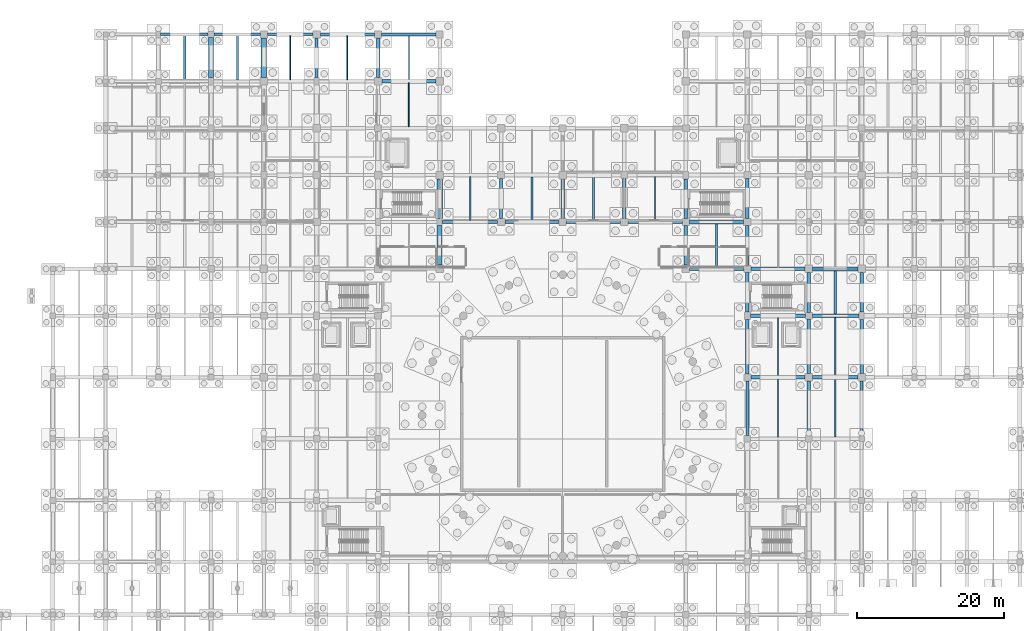
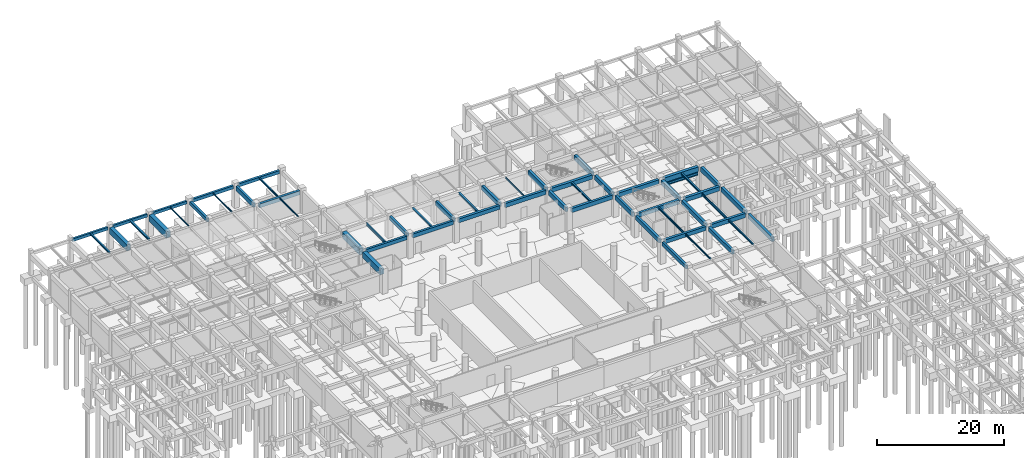
# One storey, part 24 of 44: 57 beams.
"""IFC4 building model written with IfcOpenShell, lengths in metres."""

from ifc_helpers import new_model, si_unit, direction, frame, origin, origin_2d, place, context, subcontext, project, spatial, rectangle, i_section, extrude, material, material_profile, profile_set, type_object, element, save


model = new_model("IFC4")

# Units and contexts
model_context = context("Model", 3, precision=1e-05, world=origin(), true_north=direction((0.0, 1.0)))
body_context = subcontext(model_context, "Body", "Model", "MODEL_VIEW")
ifc_project = project(units=[si_unit("LENGTHUNIT", "METRE"), si_unit("AREAUNIT", "SQUARE_METRE"), si_unit("VOLUMEUNIT", "CUBIC_METRE"), si_unit("PLANEANGLEUNIT", "RADIAN"), si_unit("MASSUNIT", "GRAM", prefix="KILO")], contexts=[model_context])

# Site, building, storey
site_placement = place(None, origin())
site = spatial("IfcSite", under=ifc_project, at=site_placement, CompositionType="ELEMENT")
building_placement = place(site_placement, origin())
building = spatial("IfcBuilding", under=site, at=building_placement, Name="Korsvaeld Concert Hall", CompositionType="ELEMENT")
storey_placement = place(building_placement, frame((0.0, 0.0, -4.800048828125)))
storey = spatial("IfcBuildingStorey", under=building, at=storey_placement, Name="B1", CompositionType="ELEMENT", Elevation=-4.800048828125)

# Beams
ifc_material_1 = material(Name="Concrete C35/45", Category="concrete")
ifc_material_profile_1 = material_profile(ifc_material_1, rectangle(XDim=0.39990234375, YDim=0.699951171875, at=origin_2d()), Name="RC 400x700")
ifc_profile_set_1 = profile_set([ifc_material_profile_1], Name="Concrete C35/45")
beam_type_1 = type_object("IfcBeamType", Name="BM-RC-400x700", PredefinedType="T_BEAM", material=ifc_profile_set_1)
beam_1_placement = place(storey_placement, frame((67.550048828125, 89.60009765625, 3.900146484375), z_axis=(1.0, 0.0, 0.0), x_axis=(0.0, 1.0, 0.0)))
element("IfcBeam", 1, at=beam_1_placement, inside=storey, type_object=beam_type_1, Name="Primary girder 10-11/N B1", PredefinedType="T_BEAM", context=body_context, shape_type="SweptSolid", body=[
    extrude(rectangle(XDim=0.39990234375, YDim=0.699951171875, at=origin_2d()), origin(), (0.0, 0.0, 1.0), 7.550048828125),
])
beam_2_placement = place(storey_placement, frame((50.39990234375, 109.300048828125, 3.900146484375), z_axis=(0.0, 1.0, 0.0), x_axis=(-1.0, 0.0, 0.0)))
element("IfcBeam", 2, at=beam_2_placement, inside=storey, type_object=beam_type_1, Name="Primary girder 8/R-S B1", PredefinedType="T_BEAM", context=body_context, shape_type="SweptSolid", body=[
    extrude(rectangle(XDim=0.39990234375, YDim=0.699951171875, at=origin_2d()), origin(), (0.0, 0.0, 1.0), 5.39990234375),
])
beam_3_placement = place(storey_placement, frame((75.60009765625, 90.10009765625, 3.900146484375), z_axis=(0.0, 1.0, 0.0), x_axis=(-1.0, 0.0, 0.0)))
element("IfcBeam", 3, at=beam_3_placement, inside=storey, type_object=beam_type_1, Name="Primary girder 11/N-P B1", PredefinedType="T_BEAM", context=body_context, shape_type="SweptSolid", body=[
    extrude(rectangle(XDim=0.39990234375, YDim=0.699951171875, at=origin_2d()), origin(), (0.0, 0.0, 1.0), 5.4248046875),
])
beam_4_placement = place(storey_placement, frame((109.199951171875, 60.449951171875, 3.900146484375), z_axis=(0.0, 1.0, 0.0), x_axis=(-1.0, 0.0, 0.0)))
element("IfcBeam", 4, at=beam_4_placement, inside=storey, type_object=beam_type_1, Name="Primary girder 15/J-K B1", PredefinedType="T_BEAM", context=body_context, shape_type="SweptSolid", body=[
    extrude(rectangle(XDim=0.39990234375, YDim=0.699951171875, at=origin_2d()), origin(), (0.0, 0.0, 1.0), 7.47509765625),
])
ifc_material_profile_2 = material_profile(ifc_material_1, rectangle(XDim=0.39990234375, YDim=0.75, at=origin_2d()), Name="RC 400x750")
ifc_profile_set_2 = profile_set([ifc_material_profile_2], Name="Concrete C35/45")
beam_type_2 = type_object("IfcBeamType", Name="BM-RC-400x750", PredefinedType="T_BEAM", material=ifc_profile_set_2)
beam_5_placement = place(storey_placement, frame((76.10009765625, 89.60009765625, 3.875), z_axis=(1.0, 0.0, 0.0), x_axis=(0.0, 1.0, 0.0)))
element("IfcBeam", 5, at=beam_5_placement, inside=storey, type_object=beam_type_2, Name="Primary girder 11-12/N B1", PredefinedType="T_BEAM", context=body_context, shape_type="SweptSolid", body=[
    extrude(rectangle(XDim=0.39990234375, YDim=0.75, at=origin_2d()), origin(), (0.0, 0.0, 1.0), 7.4248046875),
])
ifc_material_profile_3 = material_profile(ifc_material_1, rectangle(XDim=0.449951171875, YDim=0.75, at=origin_2d()), Name="RC 450x750")
ifc_profile_set_3 = profile_set([ifc_material_profile_3], Name="Concrete C35/45")
beam_type_3 = type_object("IfcBeamType", Name="BM-RC-450x750", PredefinedType="T_BEAM", material=ifc_profile_set_3)
beam_6_placement = place(storey_placement, frame((109.675048828125, 68.39990234375, 3.875), z_axis=(1.0, 0.0, 0.0), x_axis=(0.0, 1.0, 0.0)))
element("IfcBeam", 6, at=beam_6_placement, inside=storey, type_object=beam_type_3, Name="Primary girder 15-16/K B1", PredefinedType="T_BEAM", context=body_context, shape_type="SweptSolid", body=[
    extrude(rectangle(XDim=0.449951171875, YDim=0.75, at=origin_2d()), origin(), (0.0, 0.0, 1.0), 7.425048828125),
])
beam_7_placement = place(storey_placement, frame((84.47509765625, 89.60009765625, 3.875), z_axis=(1.0, 0.0, 0.0), x_axis=(0.0, 1.0, 0.0)))
element("IfcBeam", 7, at=beam_7_placement, inside=storey, type_object=beam_type_3, Name="Primary girder 12-13/N B1", PredefinedType="T_BEAM", context=body_context, shape_type="SweptSolid", body=[
    extrude(rectangle(XDim=0.449951171875, YDim=0.75, at=origin_2d()), origin(), (0.0, 0.0, 1.0), 7.4248046875),
])
beam_8_placement = place(storey_placement, frame((59.300048828125, 108.800048828125, 3.875), z_axis=(1.0, 0.0, 0.0), x_axis=(0.0, 1.0, 0.0)))
element("IfcBeam", 8, at=beam_8_placement, inside=storey, type_object=beam_type_3, Name="Primary girder 9-10/R B1", PredefinedType="T_BEAM", context=body_context, shape_type="SweptSolid", body=[
    extrude(rectangle(XDim=0.449951171875, YDim=0.75, at=origin_2d()), origin(), (0.0, 0.0, 1.0), 7.39990234375),
])
ifc_material_profile_4 = material_profile(ifc_material_1, rectangle(XDim=0.449951171875, YDim=0.800048828125, at=origin_2d()), Name="RC 450x800")
ifc_profile_set_4 = profile_set([ifc_material_profile_4], Name="Concrete C35/45")
beam_type_4 = type_object("IfcBeamType", Name="BM-RC-450x800", PredefinedType="T_BEAM", material=ifc_profile_set_4)
beam_9_placement = place(storey_placement, frame((118.10009765625, 68.39990234375, 3.85009765625), z_axis=(1.0, 0.0, 0.0), x_axis=(0.0, 1.0, 0.0)))
element("IfcBeam", 9, at=beam_9_placement, inside=storey, type_object=beam_type_4, Name="Primary girder 16-17/K B1", PredefinedType="T_BEAM", context=body_context, shape_type="SweptSolid", body=[
    extrude(rectangle(XDim=0.449951171875, YDim=0.800048828125, at=origin_2d()), origin(), (0.0, 0.0, 1.0), 6.199951171875),
])
beam_10_placement = place(storey_placement, frame((109.60009765625, 76.800048828125, 3.85009765625), z_axis=(1.0, 0.0, 0.0), x_axis=(0.0, 1.0, 0.0)))
element("IfcBeam", 10, at=beam_10_placement, inside=storey, type_object=beam_type_4, Name="Primary girder 15-16/L B1", PredefinedType="T_BEAM", context=body_context, shape_type="SweptSolid", body=[
    extrude(rectangle(XDim=0.449951171875, YDim=0.800048828125, at=origin_2d()), origin(), (0.0, 0.0, 1.0), 7.52490234375),
])
for number, where, z_axis, x_axis, name in (
    (11, (101.300048828125, 83.199951171875, 3.85009765625), (1.0, 0.0, 0.0), (0.0, 1.0, 0.0), "Primary girder 14-15/M B1"),
    (12, (92.89990234375, 89.60009765625, 3.85009765625), (1.0, 0.0, 0.0), (0.0, 1.0, 0.0), "Primary girder 13-14/N B1"),
):
    element("IfcBeam", number, at=place(storey_placement, frame(where, z_axis=z_axis, x_axis=x_axis)), inside=storey, type_object=beam_type_4, Name=name, PredefinedType="T_BEAM", context=body_context, shape_type="SweptSolid", body=[
        extrude(rectangle(XDim=0.449951171875, YDim=0.800048828125, at=origin_2d()), origin(), (0.0, 0.0, 1.0), 7.425048828125),
    ])
for number, where, z_axis, x_axis, name in (
    (13, (58.800048828125, 109.300048828125, 3.85009765625), (0.0, 1.0, 0.0), (-1.0, 0.0, 0.0), "Primary girder 9/R-S B1"),
    (14, (84.0, 90.074951171875, 3.85009765625), (0.0, 1.0, 0.0), (-1.0, 0.0, 0.0), "Primary girder 12/N-P B1"),
):
    element("IfcBeam", number, at=place(storey_placement, frame(where, z_axis=z_axis, x_axis=x_axis)), inside=storey, type_object=beam_type_4, Name=name, PredefinedType="T_BEAM", context=body_context, shape_type="SweptSolid", body=[
        extrude(rectangle(XDim=0.449951171875, YDim=0.800048828125, at=origin_2d()), origin(), (0.0, 0.0, 1.0), 5.425048828125),
    ])
beam_11_placement = place(storey_placement, frame((109.199951171875, 68.875, 3.85009765625), z_axis=(0.0, 1.0, 0.0), x_axis=(-1.0, 0.0, 0.0)))
element("IfcBeam", 15, at=beam_11_placement, inside=storey, type_object=beam_type_4, Name="Primary girder 15/K-L B1", PredefinedType="T_BEAM", context=body_context, shape_type="SweptSolid", body=[
    extrude(rectangle(XDim=0.449951171875, YDim=0.800048828125, at=origin_2d()), origin(), (0.0, 0.0, 1.0), 7.425048828125),
])
beam_12_placement = place(storey_placement, frame((117.60009765625, 60.425048828125, 3.85009765625), z_axis=(0.0, 1.0, 0.0), x_axis=(-1.0, 0.0, 0.0)))
element("IfcBeam", 16, at=beam_12_placement, inside=storey, type_object=beam_type_4, Name="Primary girder 16/J-K B1", PredefinedType="T_BEAM", context=body_context, shape_type="SweptSolid", body=[
    extrude(rectangle(XDim=0.449951171875, YDim=0.800048828125, at=origin_2d()), origin(), (0.0, 0.0, 1.0), 7.474853515625),
])
ifc_material_2 = material(Name="Concrete C40/50", Category="concrete")
ifc_material_profile_5 = material_profile(ifc_material_2, rectangle(XDim=0.449951171875, YDim=0.85009765625, at=origin_2d()), Name="RC 450x850")
ifc_profile_set_5 = profile_set([ifc_material_profile_5], Name="Concrete C40/50")
beam_type_5 = type_object("IfcBeamType", Name="BM-RC-450x850", PredefinedType="T_BEAM", material=ifc_profile_set_5)
beam_13_placement = place(storey_placement, frame((92.39990234375, 90.10009765625, 3.824951171875), z_axis=(0.0, 1.0, 0.0), x_axis=(-1.0, 0.0, 0.0)))
element("IfcBeam", 17, at=beam_13_placement, inside=storey, type_object=beam_type_5, Name="Primary girder 13/N-P B1", PredefinedType="T_BEAM", context=body_context, shape_type="SweptSolid", body=[
    extrude(rectangle(XDim=0.449951171875, YDim=0.85009765625, at=origin_2d()), origin(), (0.0, 0.0, 1.0), 5.4248046875),
])
for number, where, z_axis, x_axis, name in (
    (18, (100.800048828125, 83.699951171875, 3.824951171875), (0.0, 1.0, 0.0), (-1.0, 0.0, 0.0), "Primary girder 14/M-N B1"),
    (19, (109.199951171875, 77.300048828125, 3.824951171875), (0.0, 1.0, 0.0), (-1.0, 0.0, 0.0), "Primary girder 15/L-M B1"),
):
    element("IfcBeam", number, at=place(storey_placement, frame(where, z_axis=z_axis, x_axis=x_axis)), inside=storey, type_object=beam_type_5, Name=name, PredefinedType="T_BEAM", context=body_context, shape_type="SweptSolid", body=[
        extrude(rectangle(XDim=0.449951171875, YDim=0.85009765625, at=origin_2d()), origin(), (0.0, 0.0, 1.0), 5.425048828125),
    ])
beam_14_placement = place(storey_placement, frame((117.60009765625, 68.89990234375, 3.824951171875), z_axis=(0.0, 1.0, 0.0), x_axis=(-1.0, 0.0, 0.0)))
element("IfcBeam", 20, at=beam_14_placement, inside=storey, type_object=beam_type_5, Name="Primary girder 16/K-L B1", PredefinedType="T_BEAM", context=body_context, shape_type="SweptSolid", body=[
    extrude(rectangle(XDim=0.449951171875, YDim=0.85009765625, at=origin_2d()), origin(), (0.0, 0.0, 1.0), 7.425048828125),
])
beam_15_placement = place(storey_placement, frame((124.800048828125, 60.375, 3.824951171875), z_axis=(0.0, 1.0, 0.0), x_axis=(-1.0, 0.0, 0.0)))
element("IfcBeam", 21, at=beam_15_placement, inside=storey, type_object=beam_type_5, Name="Primary girder 17/J-K B1", PredefinedType="T_BEAM", context=body_context, shape_type="SweptSolid", body=[
    extrude(rectangle(XDim=0.449951171875, YDim=0.85009765625, at=origin_2d()), origin(), (0.0, 0.0, 1.0), 7.52490234375),
])
ifc_material_profile_6 = material_profile(ifc_material_2, rectangle(XDim=0.5, YDim=0.800048828125, at=origin_2d()), Name="RC 500x800")
ifc_profile_set_6 = profile_set([ifc_material_profile_6], Name="Concrete C40/50")
beam_type_6 = type_object("IfcBeamType", Name="BM-RC-500x800", PredefinedType="T_BEAM", material=ifc_profile_set_6)
beam_16_placement = place(storey_placement, frame((118.074951171875, 76.800048828125, 3.85009765625), z_axis=(1.0, 0.0, 0.0), x_axis=(0.0, 1.0, 0.0)))
element("IfcBeam", 22, at=beam_16_placement, inside=storey, type_object=beam_type_6, Name="Primary girder 16-17/L B1", PredefinedType="T_BEAM", context=body_context, shape_type="SweptSolid", body=[
    extrude(rectangle(XDim=0.5, YDim=0.800048828125, at=origin_2d()), origin(), (0.0, 0.0, 1.0), 6.375),
])
for number, where, z_axis, x_axis, name in (
    (23, (109.675048828125, 83.199951171875, 3.85009765625), (1.0, 0.0, 0.0), (0.0, 1.0, 0.0), "Primary girder 15-16/M B1"),
    (24, (101.27490234375, 89.60009765625, 3.85009765625), (1.0, 0.0, 0.0), (0.0, 1.0, 0.0), "Primary girder 14-15/N B1"),
):
    element("IfcBeam", number, at=place(storey_placement, frame(where, z_axis=z_axis, x_axis=x_axis)), inside=storey, type_object=beam_type_6, Name=name, PredefinedType="T_BEAM", context=body_context, shape_type="SweptSolid", body=[
        extrude(rectangle(XDim=0.5, YDim=0.800048828125, at=origin_2d()), origin(), (0.0, 0.0, 1.0), 7.425048828125),
    ])
ifc_material_profile_7 = material_profile(ifc_material_2, rectangle(XDim=0.5, YDim=0.85009765625, at=origin_2d()), Name="RC 500x850")
ifc_profile_set_7 = profile_set([ifc_material_profile_7], Name="Concrete C40/50")
beam_type_7 = type_object("IfcBeamType", Name="BM-RC-500x850", PredefinedType="T_BEAM", material=ifc_profile_set_7)
for number, where, z_axis, x_axis, name in (
    (25, (100.800048828125, 90.074951171875, 3.824951171875), (0.0, 1.0, 0.0), (-1.0, 0.0, 0.0), "Primary girder 14/N-P B1"),
    (26, (109.199951171875, 83.675048828125, 3.824951171875), (0.0, 1.0, 0.0), (-1.0, 0.0, 0.0), "Primary girder 15/M-N B1"),
    (27, (117.60009765625, 77.27490234375, 3.824951171875), (0.0, 1.0, 0.0), (-1.0, 0.0, 0.0), "Primary girder 16/L-M B1"),
):
    element("IfcBeam", number, at=place(storey_placement, frame(where, z_axis=z_axis, x_axis=x_axis)), inside=storey, type_object=beam_type_7, Name=name, PredefinedType="T_BEAM", context=body_context, shape_type="SweptSolid", body=[
        extrude(rectangle(XDim=0.5, YDim=0.85009765625, at=origin_2d()), origin(), (0.0, 0.0, 1.0), 5.425048828125),
    ])
beam_17_placement = place(storey_placement, frame((124.800048828125, 68.89990234375, 3.824951171875), z_axis=(0.0, 1.0, 0.0), x_axis=(-1.0, 0.0, 0.0)))
element("IfcBeam", 28, at=beam_17_placement, inside=storey, type_object=beam_type_7, Name="Primary girder 17/K-L B1", PredefinedType="T_BEAM", context=body_context, shape_type="SweptSolid", body=[
    extrude(rectangle(XDim=0.5, YDim=0.85009765625, at=origin_2d()), origin(), (0.0, 0.0, 1.0), 7.400146484375),
])
ifc_material_profile_8 = material_profile(ifc_material_2, rectangle(XDim=0.5, YDim=0.89990234375, at=origin_2d()), Name="RC 500x900")
ifc_profile_set_8 = profile_set([ifc_material_profile_8], Name="Concrete C40/50")
beam_type_8 = type_object("IfcBeamType", Name="BM-RC-500x900", PredefinedType="T_BEAM", material=ifc_profile_set_8)
beam_18_placement = place(storey_placement, frame((109.199951171875, 90.10009765625, 3.800048828125), z_axis=(0.0, 1.0, 0.0), x_axis=(-1.0, 0.0, 0.0)))
element("IfcBeam", 29, at=beam_18_placement, inside=storey, type_object=beam_type_8, Name="Primary girder 15/N-P B1", PredefinedType="T_BEAM", context=body_context, shape_type="SweptSolid", body=[
    extrude(rectangle(XDim=0.5, YDim=0.89990234375, at=origin_2d()), origin(), (0.0, 0.0, 1.0), 5.4248046875),
])
beam_19_placement = place(storey_placement, frame((124.800048828125, 77.300048828125, 3.800048828125), z_axis=(0.0, 1.0, 0.0), x_axis=(-1.0, 0.0, 0.0)))
element("IfcBeam", 30, at=beam_19_placement, inside=storey, type_object=beam_type_8, Name="Primary girder 17/L-M B1", PredefinedType="T_BEAM", context=body_context, shape_type="SweptSolid", body=[
    extrude(rectangle(XDim=0.5, YDim=0.89990234375, at=origin_2d()), origin(), (0.0, 0.0, 1.0), 5.39990234375),
])
ifc_material_profile_9 = material_profile(ifc_material_2, rectangle(XDim=0.550048828125, YDim=0.89990234375, at=origin_2d()), Name="RC 550x900")
ifc_profile_set_9 = profile_set([ifc_material_profile_9], Name="Concrete C40/50")
beam_type_9 = type_object("IfcBeamType", Name="BM-RC-550x900", PredefinedType="T_BEAM", material=ifc_profile_set_9)
beam_20_placement = place(storey_placement, frame((118.10009765625, 83.199951171875, 3.800048828125), z_axis=(1.0, 0.0, 0.0), x_axis=(0.0, 1.0, 0.0)))
element("IfcBeam", 31, at=beam_20_placement, inside=storey, type_object=beam_type_9, Name="Primary girder 16-17/M B1", PredefinedType="T_BEAM", context=body_context, shape_type="SweptSolid", body=[
    extrude(rectangle(XDim=0.550048828125, YDim=0.89990234375, at=origin_2d()), origin(), (0.0, 0.0, 1.0), 6.199951171875),
])
ifc_material_profile_10 = material_profile(ifc_material_2, rectangle(XDim=0.699951171875, YDim=1.14990234375, at=origin_2d()), Name="RC 700x1150")
ifc_profile_set_10 = profile_set([ifc_material_profile_10], Name="Concrete C40/50")
beam_type_10 = type_object("IfcBeamType", Name="BM-RC-700x1150", PredefinedType="T_BEAM", material=ifc_profile_set_10)
beam_21_placement = place(storey_placement, frame((36.0, 109.300048828125, 3.675048828125), z_axis=(0.0, 1.0, 0.0), x_axis=(-1.0, 0.0, 0.0)))
element("IfcBeam", 32, at=beam_21_placement, inside=storey, type_object=beam_type_10, Name="Primary girder 6/R-S B1", PredefinedType="T_BEAM", context=body_context, shape_type="SweptSolid", body=[
    extrude(rectangle(XDim=0.699951171875, YDim=1.14990234375, at=origin_2d()), origin(), (0.0, 0.0, 1.0), 5.474853515625),
])
beam_22_placement = place(storey_placement, frame((67.199951171875, 83.699951171875, 3.675048828125), z_axis=(0.0, 1.0, 0.0), x_axis=(-1.0, 0.0, 0.0)))
element("IfcBeam", 33, at=beam_22_placement, inside=storey, type_object=beam_type_10, Name="Primary girder 10/M-N B1", PredefinedType="T_BEAM", context=body_context, shape_type="SweptSolid", body=[
    extrude(rectangle(XDim=0.699951171875, YDim=1.14990234375, at=origin_2d()), origin(), (0.0, 0.0, 1.0), 5.400146484375),
])
ifc_material_profile_11 = material_profile(ifc_material_2, rectangle(XDim=0.75, YDim=1.199951171875, at=origin_2d()), Name="RC 750x1200")
ifc_profile_set_11 = profile_set([ifc_material_profile_11], Name="Concrete C40/50")
beam_type_11 = type_object("IfcBeamType", Name="BM-RC-750x1200", PredefinedType="T_BEAM", material=ifc_profile_set_11)
beam_23_placement = place(storey_placement, frame((43.199951171875, 109.300048828125, 3.650146484375), z_axis=(0.0, 1.0, 0.0), x_axis=(-1.0, 0.0, 0.0)))
element("IfcBeam", 34, at=beam_23_placement, inside=storey, type_object=beam_type_11, Name="Primary girder 7/R-S B1", PredefinedType="T_BEAM", context=body_context, shape_type="SweptSolid", body=[
    extrude(rectangle(XDim=0.75, YDim=1.199951171875, at=origin_2d()), origin(), (0.0, 0.0, 1.0), 5.425048828125),
])
beam_24_placement = place(storey_placement, frame((67.199951171875, 90.10009765625, 3.650146484375), z_axis=(0.0, 1.0, 0.0), x_axis=(-1.0, 0.0, 0.0)))
element("IfcBeam", 35, at=beam_24_placement, inside=storey, type_object=beam_type_11, Name="Primary girder 10/N-P B1", PredefinedType="T_BEAM", context=body_context, shape_type="SweptSolid", body=[
    extrude(rectangle(XDim=0.75, YDim=1.199951171875, at=origin_2d()), origin(), (0.0, 0.0, 1.0), 5.39990234375),
])
ifc_material_profile_12 = material_profile(ifc_material_1, rectangle(XDim=0.35009765625, YDim=0.550048828125, at=origin_2d()), Name="RC 350x550")
ifc_profile_set_12 = profile_set([ifc_material_profile_12], Name="Concrete C35/45")
beam_type_12 = type_object("IfcBeamType", Name="BM-SP-350x550", PredefinedType="SPANDREL", material=ifc_profile_set_12)
beam_25_placement = place(storey_placement, frame((29.10009765625, 115.199951171875, 3.97509765625), z_axis=(1.0, 0.0, 0.0), x_axis=(0.0, 1.0, 0.0)))
element("IfcBeam", 36, at=beam_25_placement, inside=storey, type_object=beam_type_12, Name="Primary girder 5-6/S B1", PredefinedType="SPANDREL", context=body_context, shape_type="SweptSolid", body=[
    extrude(rectangle(XDim=0.35009765625, YDim=0.550048828125, at=origin_2d()), origin(), (0.0, 0.0, 1.0), 6.474853515625),
])
beam_26_placement = place(storey_placement, frame((36.425048828125, 115.199951171875, 3.97509765625), z_axis=(1.0, 0.0, 0.0), x_axis=(0.0, 1.0, 0.0)))
element("IfcBeam", 37, at=beam_26_placement, inside=storey, type_object=beam_type_12, Name="Primary girder 6-7/S B1", PredefinedType="SPANDREL", context=body_context, shape_type="SweptSolid", body=[
    extrude(rectangle(XDim=0.35009765625, YDim=0.550048828125, at=origin_2d()), origin(), (0.0, 0.0, 1.0), 6.300048828125),
])
beam_27_placement = place(storey_placement, frame((43.675048828125, 115.199951171875, 3.97509765625), z_axis=(1.0, 0.0, 0.0), x_axis=(0.0, 1.0, 0.0)))
element("IfcBeam", 38, at=beam_27_placement, inside=storey, type_object=beam_type_12, Name="Primary girder 7-8/S B1", PredefinedType="SPANDREL", context=body_context, shape_type="SweptSolid", body=[
    extrude(rectangle(XDim=0.35009765625, YDim=0.550048828125, at=origin_2d()), origin(), (0.0, 0.0, 1.0), 6.224853515625),
])
ifc_material_profile_13 = material_profile(ifc_material_1, rectangle(XDim=0.39990234375, YDim=0.60009765625, at=origin_2d()), Name="RC 400x600")
ifc_profile_set_13 = profile_set([ifc_material_profile_13], Name="Concrete C35/45")
beam_type_13 = type_object("IfcBeamType", Name="BM-SP-400x600", PredefinedType="SPANDREL", material=ifc_profile_set_13)
beam_28_placement = place(storey_placement, frame((50.89990234375, 115.199951171875, 3.949951171875), z_axis=(1.0, 0.0, 0.0), x_axis=(0.0, 1.0, 0.0)))
element("IfcBeam", 39, at=beam_28_placement, inside=storey, type_object=beam_type_13, Name="Primary girder 8-9/S B1", PredefinedType="SPANDREL", context=body_context, shape_type="SweptSolid", body=[
    extrude(rectangle(XDim=0.39990234375, YDim=0.60009765625, at=origin_2d()), origin(), (0.0, 0.0, 1.0), 7.425048828125),
])
beam_29_placement = place(storey_placement, frame((59.27490234375, 115.199951171875, 3.949951171875), z_axis=(1.0, 0.0, 0.0), x_axis=(0.0, 1.0, 0.0)))
element("IfcBeam", 40, at=beam_29_placement, inside=storey, type_object=beam_type_13, Name="Primary girder 9-10/S B1", PredefinedType="SPANDREL", context=body_context, shape_type="SweptSolid", body=[
    extrude(rectangle(XDim=0.39990234375, YDim=0.60009765625, at=origin_2d()), origin(), (0.0, 0.0, 1.0), 7.4501953125),
])
ifc_material_3 = material(Name="Steel S355J2", Category="steel")
ifc_material_profile_14 = material_profile(ifc_material_3, i_section(OverallWidth=0.280029296875, OverallDepth=0.27001953125, WebThickness=0.008056640625, FlangeThickness=0.012939453125, FilletRadius=0.02392578125, at=origin_2d()), Name="HEA 280")
ifc_profile_set_14 = profile_set([ifc_material_profile_14], Name="Steel S355J2")
beam_type_14 = type_object("IfcBeamType", Name="BM-STL-HEA280", PredefinedType="BEAM", material=ifc_profile_set_14)
beam_30_placement = place(storey_placement, frame((32.39990234375, 108.97509765625, 4.114990234375), z_axis=(0.0, 1.0, 0.0), x_axis=(-1.0, 0.0, 0.0)))
element("IfcBeam", 41, at=beam_30_placement, inside=storey, type_object=beam_type_14, Name="Secondary steel floor beam 5-6/R B1", PredefinedType="BEAM", context=body_context, shape_type="SweptSolid", body=[
    extrude(i_section(OverallWidth=0.280029296875, OverallDepth=0.27001953125, WebThickness=0.008056640625, FlangeThickness=0.012939453125, FilletRadius=0.02392578125, at=origin_2d()), origin(), (0.0, 0.0, 1.0), 6.0498046875),
])
beam_31_placement = place(storey_placement, frame((79.800048828125, 89.800048828125, 4.114990234375), z_axis=(0.0, 1.0, 0.0), x_axis=(-1.0, 0.0, 0.0)))
element("IfcBeam", 42, at=beam_31_placement, inside=storey, type_object=beam_type_14, Name="Secondary steel floor beam 11-12/N B1", PredefinedType="BEAM", context=body_context, shape_type="SweptSolid", body=[
    extrude(i_section(OverallWidth=0.280029296875, OverallDepth=0.27001953125, WebThickness=0.008056640625, FlangeThickness=0.012939453125, FilletRadius=0.02392578125, at=origin_2d()), origin(), (0.0, 0.0, 1.0), 5.974853515625),
])
ifc_material_profile_15 = material_profile(ifc_material_3, i_section(OverallWidth=0.300048828125, OverallDepth=0.35009765625, WebThickness=0.010009765625, FlangeThickness=0.017578125, FilletRadius=0.027099609375, at=origin_2d()), Name="HEA 360")
ifc_profile_set_15 = profile_set([ifc_material_profile_15], Name="Steel S355J2")
beam_type_15 = type_object("IfcBeamType", Name="BM-STL-HEA360", PredefinedType="BEAM", material=ifc_profile_set_15)
beam_32_placement = place(storey_placement, frame((39.60009765625, 109.0, 4.074951171875), z_axis=(0.0, 1.0, 0.0), x_axis=(-1.0, 0.0, 0.0)))
element("IfcBeam", 43, at=beam_32_placement, inside=storey, type_object=beam_type_15, Name="Secondary steel floor beam 6-7/R B1", PredefinedType="BEAM", context=body_context, shape_type="SweptSolid", body=[
    extrude(i_section(OverallWidth=0.300048828125, OverallDepth=0.35009765625, WebThickness=0.010009765625, FlangeThickness=0.017578125, FilletRadius=0.027099609375, at=origin_2d()), origin(), (0.0, 0.0, 1.0), 6.02490234375),
])
beam_33_placement = place(storey_placement, frame((88.199951171875, 89.824951171875, 4.074951171875), z_axis=(0.0, 1.0, 0.0), x_axis=(-1.0, 0.0, 0.0)))
element("IfcBeam", 44, at=beam_33_placement, inside=storey, type_object=beam_type_15, Name="Secondary steel floor beam 12-13/N B1", PredefinedType="BEAM", context=body_context, shape_type="SweptSolid", body=[
    extrude(i_section(OverallWidth=0.300048828125, OverallDepth=0.35009765625, WebThickness=0.010009765625, FlangeThickness=0.017578125, FilletRadius=0.027099609375, at=origin_2d()), origin(), (0.0, 0.0, 1.0), 5.949951171875),
])
beam_34_placement = place(storey_placement, frame((105.0, 83.425048828125, 4.074951171875), z_axis=(0.0, 1.0, 0.0), x_axis=(-1.0, 0.0, 0.0)))
element("IfcBeam", 45, at=beam_34_placement, inside=storey, type_object=beam_type_15, Name="Secondary steel floor beam 14-15/M B1", PredefinedType="BEAM", context=body_context, shape_type="SweptSolid", body=[
    extrude(i_section(OverallWidth=0.300048828125, OverallDepth=0.35009765625, WebThickness=0.010009765625, FlangeThickness=0.017578125, FilletRadius=0.027099609375, at=origin_2d()), origin(), (0.0, 0.0, 1.0), 5.925048828125),
])
beam_35_placement = place(storey_placement, frame((121.199951171875, 77.050048828125, 4.074951171875), z_axis=(0.0, 1.0, 0.0), x_axis=(-1.0, 0.0, 0.0)))
element("IfcBeam", 46, at=beam_35_placement, inside=storey, type_object=beam_type_15, Name="Secondary steel floor beam 16-17/L B1", PredefinedType="BEAM", context=body_context, shape_type="SweptSolid", body=[
    extrude(i_section(OverallWidth=0.300048828125, OverallDepth=0.35009765625, WebThickness=0.010009765625, FlangeThickness=0.017578125, FilletRadius=0.027099609375, at=origin_2d()), origin(), (0.0, 0.0, 1.0), 5.875),
])
ifc_material_profile_16 = material_profile(ifc_material_3, i_section(OverallWidth=0.300048828125, OverallDepth=0.550048828125, WebThickness=0.014892578125, FlangeThickness=0.029052734375, FilletRadius=0.027099609375, at=origin_2d()), Name="HEB 550")
ifc_profile_set_16 = profile_set([ifc_material_profile_16], Name="Steel S355J2")
beam_type_16 = type_object("IfcBeamType", Name="BM-STL-HEB550", PredefinedType="USERDEFINED", material=ifc_profile_set_16)
beam_36_placement = place(storey_placement, frame((118.10009765625, 83.199951171875, 2.85009765625), z_axis=(1.0, 0.0, 0.0), x_axis=(0.0, 1.0, 0.0)))
element("IfcBeam", 47, at=beam_36_placement, inside=storey, type_object=beam_type_16, Name="Basement lateral frame strut 05", ObjectType="GIRDER", PredefinedType="USERDEFINED", context=body_context, shape_type="SweptSolid", body=[
    extrude(i_section(OverallWidth=0.300048828125, OverallDepth=0.550048828125, WebThickness=0.014892578125, FlangeThickness=0.029052734375, FilletRadius=0.027099609375, at=origin_2d()), origin(), (0.0, 0.0, 1.0), 6.199951171875),
])
ifc_material_profile_17 = material_profile(ifc_material_3, i_section(OverallWidth=0.1201171875, OverallDepth=0.239990234375, WebThickness=0.006103515625, FlangeThickness=0.009765625, FilletRadius=0.014892578125, at=origin_2d()), Name="IPE 240")
ifc_profile_set_17 = profile_set([ifc_material_profile_17], Name="Steel S355J2")
beam_type_17 = type_object("IfcBeamType", Name="BM-STL-IPE240", PredefinedType="JOIST", material=ifc_profile_set_17)
beam_37_placement = place(storey_placement, frame((46.800048828125, 109.0, 4.130126953125), z_axis=(0.0, 1.0, 0.0), x_axis=(-1.0, 0.0, 0.0)))
element("IfcBeam", 48, at=beam_37_placement, inside=storey, type_object=beam_type_17, Name="Secondary steel floor beam 7-8/R B1", PredefinedType="JOIST", context=body_context, shape_type="SweptSolid", body=[
    extrude(i_section(OverallWidth=0.1201171875, OverallDepth=0.239990234375, WebThickness=0.006103515625, FlangeThickness=0.009765625, FilletRadius=0.014892578125, at=origin_2d()), origin(), (0.0, 0.0, 1.0), 6.02490234375),
])
beam_38_placement = place(storey_placement, frame((63.0, 102.60009765625, 4.130126953125), z_axis=(0.0, 1.0, 0.0), x_axis=(-1.0, 0.0, 0.0)))
element("IfcBeam", 49, at=beam_38_placement, inside=storey, type_object=beam_type_17, Name="Secondary steel floor beam 9-10/Q B1", PredefinedType="JOIST", context=body_context, shape_type="SweptSolid", body=[
    extrude(i_section(OverallWidth=0.1201171875, OverallDepth=0.239990234375, WebThickness=0.006103515625, FlangeThickness=0.009765625, FilletRadius=0.014892578125, at=origin_2d()), origin(), (0.0, 0.0, 1.0), 5.974853515625),
])
beam_39_placement = place(storey_placement, frame((96.60009765625, 89.824951171875, 4.130126953125), z_axis=(0.0, 1.0, 0.0), x_axis=(-1.0, 0.0, 0.0)))
element("IfcBeam", 50, at=beam_39_placement, inside=storey, type_object=beam_type_17, Name="Secondary steel floor beam 13-14/N B1", PredefinedType="JOIST", context=body_context, shape_type="SweptSolid", body=[
    extrude(i_section(OverallWidth=0.1201171875, OverallDepth=0.239990234375, WebThickness=0.006103515625, FlangeThickness=0.009765625, FilletRadius=0.014892578125, at=origin_2d()), origin(), (0.0, 0.0, 1.0), 5.925048828125),
])
ifc_material_profile_18 = material_profile(ifc_material_3, i_section(OverallWidth=0.135009765625, OverallDepth=0.27001953125, WebThickness=0.006591796875, FlangeThickness=0.01025390625, FilletRadius=0.014892578125, at=origin_2d()), Name="IPE 270")
ifc_profile_set_18 = profile_set([ifc_material_profile_18], Name="Steel S355J2")
beam_type_18 = type_object("IfcBeamType", Name="BM-STL-IPE270", PredefinedType="JOIST", material=ifc_profile_set_18)
beam_40_placement = place(storey_placement, frame((54.60009765625, 109.0, 4.114990234375), z_axis=(0.0, 1.0, 0.0), x_axis=(-1.0, 0.0, 0.0)))
element("IfcBeam", 51, at=beam_40_placement, inside=storey, type_object=beam_type_18, Name="Secondary steel floor beam 8-9/R B1", PredefinedType="JOIST", context=body_context, shape_type="SweptSolid", body=[
    extrude(i_section(OverallWidth=0.135009765625, OverallDepth=0.27001953125, WebThickness=0.006591796875, FlangeThickness=0.01025390625, FilletRadius=0.014892578125, at=origin_2d()), origin(), (0.0, 0.0, 1.0), 6.0),
])
ifc_material_profile_19 = material_profile(ifc_material_3, i_section(OverallWidth=0.14990234375, OverallDepth=0.300048828125, WebThickness=0.007080078125, FlangeThickness=0.0107421875, FilletRadius=0.014892578125, at=origin_2d()), Name="IPE 300")
ifc_profile_set_19 = profile_set([ifc_material_profile_19], Name="Steel S355J2")
beam_type_19 = type_object("IfcBeamType", Name="BM-STL-IPE300", PredefinedType="JOIST", material=ifc_profile_set_19)
beam_41_placement = place(storey_placement, frame((63.0, 109.02490234375, 4.10009765625), z_axis=(0.0, 1.0, 0.0), x_axis=(-1.0, 0.0, 0.0)))
element("IfcBeam", 52, at=beam_41_placement, inside=storey, type_object=beam_type_19, Name="Secondary steel floor beam 9-10/R B1", PredefinedType="JOIST", context=body_context, shape_type="SweptSolid", body=[
    extrude(i_section(OverallWidth=0.14990234375, OverallDepth=0.300048828125, WebThickness=0.007080078125, FlangeThickness=0.0107421875, FilletRadius=0.014892578125, at=origin_2d()), origin(), (0.0, 0.0, 1.0), 5.97509765625),
])
ifc_material_profile_20 = material_profile(ifc_material_3, i_section(OverallWidth=0.159912109375, OverallDepth=0.330078125, WebThickness=0.007568359375, FlangeThickness=0.011474609375, FilletRadius=0.01806640625, at=origin_2d()), Name="IPE 330")
ifc_profile_set_20 = profile_set([ifc_material_profile_20], Name="Steel S355J2")
beam_type_20 = type_object("IfcBeamType", Name="BM-STL-IPE330", PredefinedType="BEAM", material=ifc_profile_set_20)
beam_42_placement = place(storey_placement, frame((113.39990234375, 60.199951171875, 4.0849609375), z_axis=(0.0, 1.0, 0.0), x_axis=(-1.0, 0.0, 0.0)))
element("IfcBeam", 53, at=beam_42_placement, inside=storey, type_object=beam_type_20, Name="Secondary steel floor beam 15-16/J B1", PredefinedType="BEAM", context=body_context, shape_type="SweptSolid", body=[
    extrude(i_section(OverallWidth=0.159912109375, OverallDepth=0.330078125, WebThickness=0.007568359375, FlangeThickness=0.011474609375, FilletRadius=0.01806640625, at=origin_2d()), origin(), (0.0, 0.0, 1.0), 7.97509765625),
])
ifc_material_profile_21 = material_profile(ifc_material_3, i_section(OverallWidth=0.169921875, OverallDepth=0.360107421875, WebThickness=0.008056640625, FlangeThickness=0.0126953125, FilletRadius=0.01806640625, at=origin_2d()), Name="IPE 360")
ifc_profile_set_21 = profile_set([ifc_material_profile_21], Name="Steel S355J2")
beam_type_21 = type_object("IfcBeamType", Name="BM-STL-IPE360", PredefinedType="BEAM", material=ifc_profile_set_21)
beam_43_placement = place(storey_placement, frame((121.199951171875, 60.22509765625, 4.070068359375), z_axis=(0.0, 1.0, 0.0), x_axis=(-1.0, 0.0, 0.0)))
element("IfcBeam", 54, at=beam_43_placement, inside=storey, type_object=beam_type_21, Name="Secondary steel floor beam 16-17/J B1", PredefinedType="BEAM", context=body_context, shape_type="SweptSolid", body=[
    extrude(i_section(OverallWidth=0.169921875, OverallDepth=0.360107421875, WebThickness=0.008056640625, FlangeThickness=0.0126953125, FilletRadius=0.01806640625, at=origin_2d()), origin(), (0.0, 0.0, 1.0), 7.949951171875),
])
ifc_material_profile_22 = material_profile(ifc_material_3, i_section(OverallWidth=0.179931640625, OverallDepth=0.39990234375, WebThickness=0.008544921875, FlangeThickness=0.013427734375, FilletRadius=0.02099609375, at=origin_2d()), Name="IPE 400")
ifc_profile_set_22 = profile_set([ifc_material_profile_22], Name="Steel S355J2")
beam_type_22 = type_object("IfcBeamType", Name="BM-STL-IPE400", PredefinedType="BEAM", material=ifc_profile_set_22)
beam_44_placement = place(storey_placement, frame((113.39990234375, 68.625, 4.050048828125), z_axis=(0.0, 1.0, 0.0), x_axis=(-1.0, 0.0, 0.0)))
element("IfcBeam", 55, at=beam_44_placement, inside=storey, type_object=beam_type_22, Name="Secondary steel floor beam 15-16/K B1", PredefinedType="BEAM", context=body_context, shape_type="SweptSolid", body=[
    extrude(i_section(OverallWidth=0.179931640625, OverallDepth=0.39990234375, WebThickness=0.008544921875, FlangeThickness=0.013427734375, FilletRadius=0.02099609375, at=origin_2d()), origin(), (0.0, 0.0, 1.0), 7.949951171875),
])
ifc_material_profile_23 = material_profile(ifc_material_3, i_section(OverallWidth=0.18994140625, OverallDepth=0.449951171875, WebThickness=0.009521484375, FlangeThickness=0.0146484375, FilletRadius=0.02099609375, at=origin_2d()), Name="IPE 450")
ifc_profile_set_23 = profile_set([ifc_material_profile_23], Name="Steel S355J2")
beam_type_23 = type_object("IfcBeamType", Name="BM-STL-IPE450", PredefinedType="BEAM", material=ifc_profile_set_23)
beam_45_placement = place(storey_placement, frame((71.39990234375, 89.800048828125, 4.025146484375), z_axis=(0.0, 1.0, 0.0), x_axis=(-1.0, 0.0, 0.0)))
element("IfcBeam", 56, at=beam_45_placement, inside=storey, type_object=beam_type_23, Name="Secondary steel floor beam 10-11/N B1", PredefinedType="BEAM", context=body_context, shape_type="SweptSolid", body=[
    extrude(i_section(OverallWidth=0.18994140625, OverallDepth=0.449951171875, WebThickness=0.009521484375, FlangeThickness=0.0146484375, FilletRadius=0.02099609375, at=origin_2d()), origin(), (0.0, 0.0, 1.0), 6.0),
])
beam_46_placement = place(storey_placement, frame((121.199951171875, 68.625, 4.025146484375), z_axis=(0.0, 1.0, 0.0), x_axis=(-1.0, 0.0, 0.0)))
element("IfcBeam", 57, at=beam_46_placement, inside=storey, type_object=beam_type_23, Name="Secondary steel floor beam 16-17/K B1", PredefinedType="BEAM", context=body_context, shape_type="SweptSolid", body=[
    extrude(i_section(OverallWidth=0.18994140625, OverallDepth=0.449951171875, WebThickness=0.009521484375, FlangeThickness=0.0146484375, FilletRadius=0.02099609375, at=origin_2d()), origin(), (0.0, 0.0, 1.0), 7.925048828125),
])

save(model, "model.ifc")
